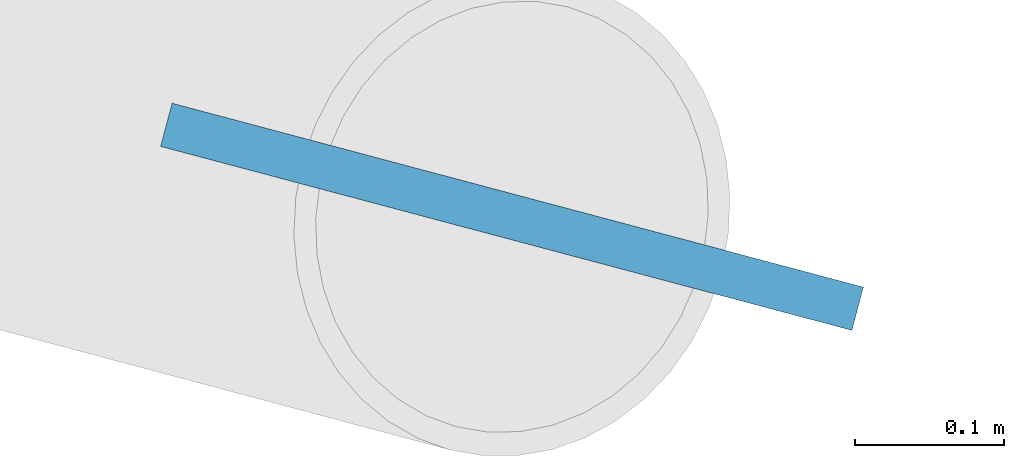
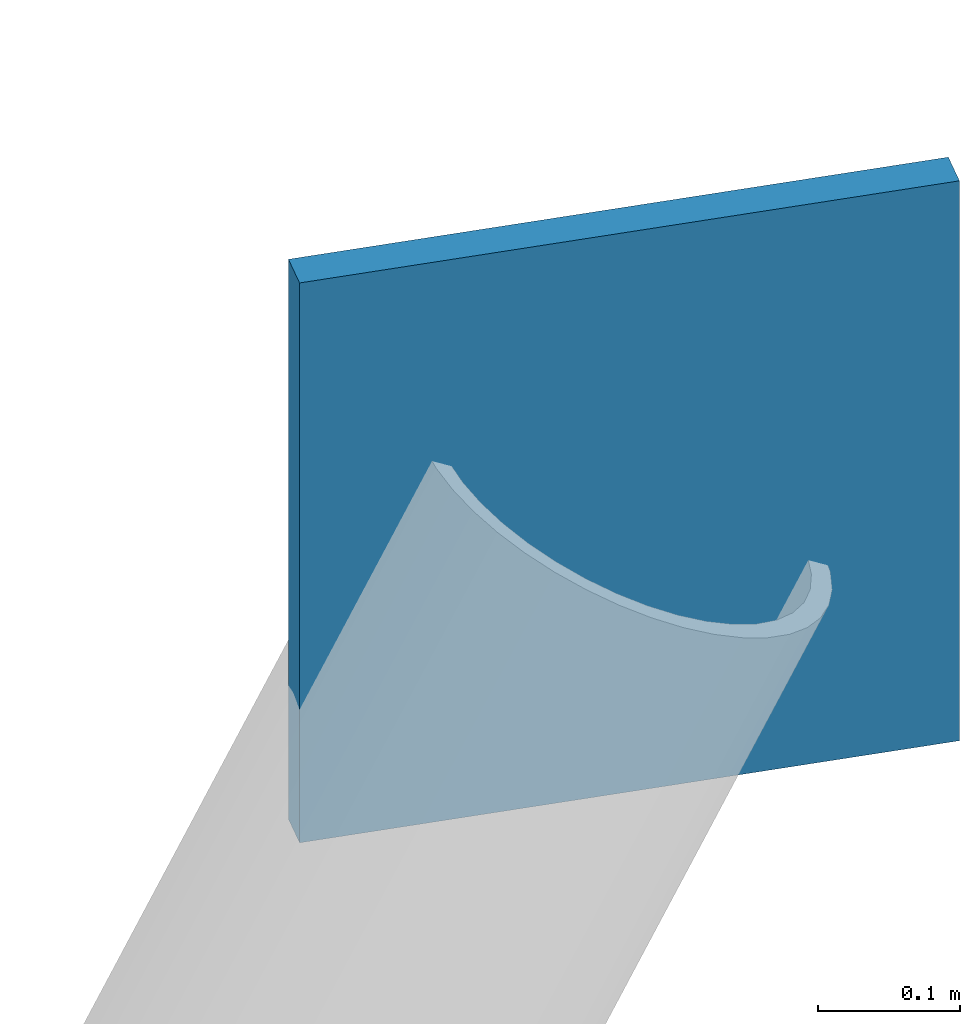
# One storey, part 7 of 15: 1 plate.
"""IFC4 building model written with IfcOpenShell, lengths in metres."""

from ifc_helpers import new_model, si_unit, direction, frame, origin, origin_2d, place, context, subcontext, project, spatial, rectangle, extrude, material, layer, layer_set, type_object, element, save


model = new_model("IFC4")

# Units and contexts
model_context = context("Model", 3, precision=1e-05, world=origin(), true_north=direction((0.0, 1.0)))
body_context = subcontext(model_context, "Body", "Model", "MODEL_VIEW")
ifc_project = project(units=[si_unit("LENGTHUNIT", "METRE"), si_unit("AREAUNIT", "SQUARE_METRE"), si_unit("VOLUMEUNIT", "CUBIC_METRE"), si_unit("PLANEANGLEUNIT", "RADIAN"), si_unit("MASSUNIT", "GRAM", prefix="KILO")], contexts=[model_context])

# Site, building, storey
site_placement = place(None, origin())
site = spatial("IfcSite", under=ifc_project, at=site_placement, CompositionType="ELEMENT")
building_placement = place(site_placement, origin())
building = spatial("IfcBuilding", under=site, at=building_placement, Name="Kranthara Brick Stack", CompositionType="ELEMENT")
storey_placement = place(building_placement, frame((0.0, 0.0, 202.699951171875)))
storey = spatial("IfcBuildingStorey", under=building, at=storey_placement, Name="L52", CompositionType="ELEMENT", Elevation=202.699951171875)

# Plate
ifc_material = material(Name="Steel S355", Category="steel")
ifc_layer = layer(ifc_material, 0.030029296875)
ifc_layer_set = layer_set([ifc_layer], Name="Steel S355")
plate_type = type_object("IfcPlateType", Name="PLT-GUSSET-30", PredefinedType="USERDEFINED", material=ifc_layer_set)
plate_placement = place(storey_placement, frame((48.800048828125, 7.199951171875, 3.81005859375), z_axis=(0.0, 0.0, 1.0), x_axis=(-0.966376079321, 0.257132793155, 0.0)))
element("IfcPlate", 1, at=plate_placement, inside=storey, type_object=plate_type, Name="L52 Brace and Strut End Connection Gusset Plate 100", ObjectType="GUSSET PLATE", PredefinedType="USERDEFINED", context=body_context, shape_type="SweptSolid", body=[
    extrude(rectangle(XDim=0.47998046875, YDim=0.030029296875, at=origin_2d()), origin(), (0.0, 0.0, 1.0), 0.47998046875),
])

save(model, "model.ifc")
